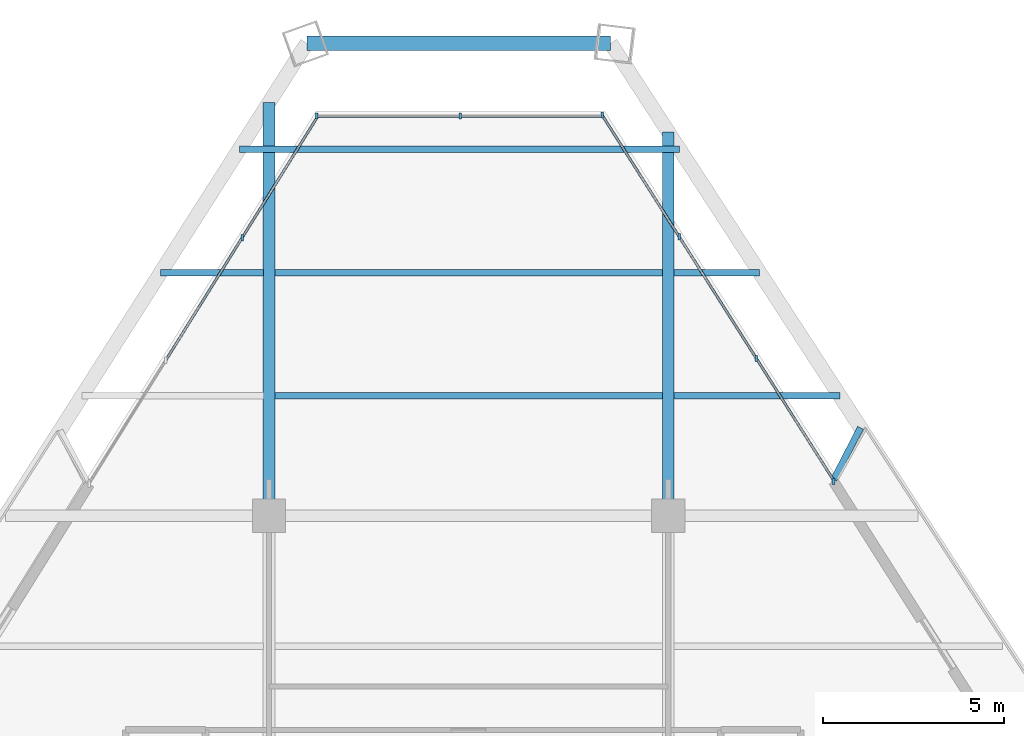
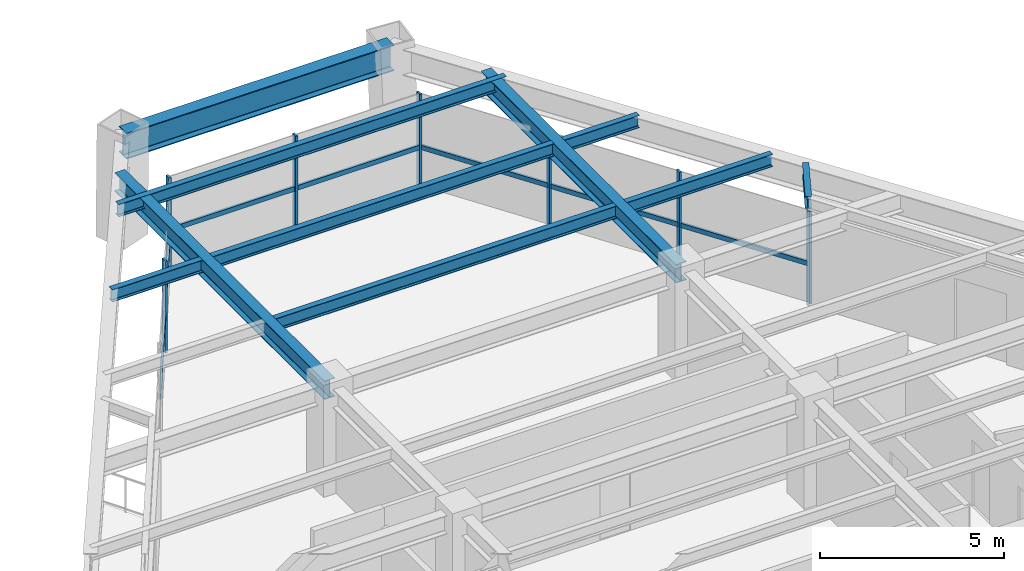
# One storey, part 9 of 15: 14 members, 10 beams, 3 elements without a shape of their own.
"""IFC4 building model written with IfcOpenShell, lengths in metres."""

from ifc_helpers import new_model, si_unit, direction, frame, origin, origin_2d, place, context, subcontext, project, spatial, rectangle, i_section, extrude, source, transform, mapped, material, material_profile, profile_set, type_object, type_shapes, element, aggregate, save


model = new_model("IFC4")

# Units and contexts
model_context = context("Model", 3, precision=1e-05, world=origin(), true_north=direction((0.0, 1.0)))
body_context = subcontext(model_context, "Body", "Model", "MODEL_VIEW")
ifc_project = project(units=[si_unit("LENGTHUNIT", "METRE"), si_unit("AREAUNIT", "SQUARE_METRE"), si_unit("VOLUMEUNIT", "CUBIC_METRE"), si_unit("PLANEANGLEUNIT", "RADIAN"), si_unit("MASSUNIT", "GRAM", prefix="KILO")], contexts=[model_context])

# Site, building, storey
site_placement = place(None, origin())
site = spatial("IfcSite", under=ifc_project, at=site_placement, CompositionType="ELEMENT")
building_placement = place(site_placement, origin())
building = spatial("IfcBuilding", under=site, at=building_placement, Name="Varnakhor Terracotta Tower", CompositionType="ELEMENT")
storey_placement = place(building_placement, frame((0.0, 0.0, 182.10009765625)))
storey = spatial("IfcBuildingStorey", under=building, at=storey_placement, Name="L46", CompositionType="ELEMENT", Elevation=182.10009765625)

# Beams
ifc_material_1 = material(Name="Steel S355", Category="steel")
ifc_material_profile_1 = material_profile(ifc_material_1, i_section(OverallWidth=0.179931640625, OverallDepth=0.4130859375, WebThickness=0.009765625, FlangeThickness=0.01611328125, FilletRadius=0.01806640625, at=origin_2d()), Name="W16X50")
ifc_profile_set_1 = profile_set([ifc_material_profile_1], Name="Steel S355")
beam_type_1 = type_object("IfcBeamType", Name="JST-W16X50", PredefinedType="JOIST", material=ifc_profile_set_1)
shared_shape_1 = source(origin(), body_context, "Body", "SweptSolid", [
    extrude(i_section(OverallWidth=0.179931640625, OverallDepth=0.4130859375, WebThickness=0.009765625, FlangeThickness=0.01611328125, FilletRadius=0.01806640625, at=origin_2d()), origin(), (0.0, 0.0, 1.0), 10.68310546875),
])
for number, where, z_axis, x_axis, name in (
    (1, (-5.341552734375, 34.800048828125, 3.263427734375), (1.0, 0.0, 0.0), (0.0, 1.0, 0.0), "L46 Composite Floor Joist 7-2"),
    (2, (-5.341552734375, 38.199951171875, 3.263427734375), (1.0, 0.0, 0.0), (0.0, 1.0, 0.0), "L46 Composite Floor Joist 8-2"),
):
    element("IfcBeam", number, at=place(storey_placement, frame(where, z_axis=z_axis, x_axis=x_axis)), inside=storey, type_object=beam_type_1, Name=name, PredefinedType="JOIST", context=body_context, shape_type="MappedRepresentation", body=[
        mapped(shared_shape_1, transform((0.0, 0.0, 0.0), scale=1.0)),
    ])
ifc_material_profile_2 = material_profile(ifc_material_1, i_section(OverallWidth=0.39990234375, OverallDepth=0.85498046875, WebThickness=0.01806640625, FlangeThickness=0.029052734375, FilletRadius=0.01806640625, at=origin_2d()), Name="W33X201")
ifc_profile_set_2 = profile_set([ifc_material_profile_2], Name="Steel S355")
beam_type_2 = type_object("IfcBeamType", Name="BM-W33X201", PredefinedType="BEAM", material=ifc_profile_set_2)
shared_shape_2 = source(origin(), body_context, "Body", "SweptSolid", [
    extrude(i_section(OverallWidth=0.39990234375, OverallDepth=0.85498046875, WebThickness=0.01806640625, FlangeThickness=0.029052734375, FilletRadius=0.01806640625, at=origin_2d()), origin(), (0.0, 0.0, 1.0), 8.371337890625),
])
beam_1_placement = place(storey_placement, frame((3.91357421875, 44.519775390625, 3.04248046875), z_axis=(-1.0, 0.0, 0.0), x_axis=(0.0, -1.0, 0.0)))
element("IfcBeam", 3, at=beam_1_placement, inside=storey, type_object=beam_type_2, Name="L46 Perimeter Spandrel 5", PredefinedType="BEAM", context=body_context, shape_type="MappedRepresentation", body=[
    mapped(shared_shape_2, transform((0.0, 0.0, 0.0), scale=1.0)),
])
ifc_material_profile_3 = material_profile(ifc_material_1, i_section(OverallWidth=0.324951171875, OverallDepth=0.615966796875, WebThickness=0.013916015625, FlangeThickness=0.02197265625, FilletRadius=0.01806640625, at=origin_2d()), Name="W24X117")
ifc_profile_set_3 = profile_set([ifc_material_profile_3], Name="Steel S355")
beam_type_3 = type_object("IfcBeamType", Name="BM-W24X117", PredefinedType="BEAM", material=ifc_profile_set_3)
shared_shape_3 = source(origin(), body_context, "Body", "SweptSolid", [
    extrude(i_section(OverallWidth=0.324951171875, OverallDepth=0.615966796875, WebThickness=0.013916015625, FlangeThickness=0.02197265625, FilletRadius=0.01806640625, at=origin_2d()), origin(), (0.0, 0.0, 1.0), 11.385498046875),
])
beam_2_placement = place(storey_placement, frame((-5.5, 31.5, 3.161865234375), z_axis=(0.0, 1.0, 0.0), x_axis=(-1.0, 0.0, 0.0)))
element("IfcBeam", 4, at=beam_2_placement, inside=storey, type_object=beam_type_3, Name="L46 Primary Girder NS3-W", PredefinedType="BEAM", context=body_context, shape_type="MappedRepresentation", body=[
    mapped(shared_shape_3, transform((0.0, 0.0, 0.0), scale=1.0)),
])
shared_shape_4 = source(origin(), body_context, "Body", "SweptSolid", [
    extrude(i_section(OverallWidth=0.324951171875, OverallDepth=0.615966796875, WebThickness=0.013916015625, FlangeThickness=0.02197265625, FilletRadius=0.01806640625, at=origin_2d()), origin(), (0.0, 0.0, 1.0), 10.578857421875),
])
beam_3_placement = place(storey_placement, frame((5.5, 31.5, 3.161865234375), z_axis=(0.0, 1.0, 0.0), x_axis=(-1.0, 0.0, 0.0)))
element("IfcBeam", 5, at=beam_3_placement, inside=storey, type_object=beam_type_3, Name="L46 Primary Girder NS3-E", PredefinedType="BEAM", context=body_context, shape_type="MappedRepresentation", body=[
    mapped(shared_shape_4, transform((0.0, 0.0, 0.0), scale=1.0)),
])
shared_shape_5 = source(origin(), body_context, "Body", "SweptSolid", [
    extrude(i_section(OverallWidth=0.179931640625, OverallDepth=0.4130859375, WebThickness=0.009765625, FlangeThickness=0.01611328125, FilletRadius=0.01806640625, at=origin_2d()), origin(), (0.0, 0.0, 1.0), 4.572021484375),
])
beam_4_placement = place(storey_placement, frame((5.658447265625, 34.800048828125, 3.263427734375), z_axis=(1.0, 0.0, 0.0), x_axis=(0.0, 1.0, 0.0)))
element("IfcBeam", 6, at=beam_4_placement, inside=storey, type_object=beam_type_1, Name="L46 Composite Floor Joist 7-3", PredefinedType="JOIST", context=body_context, shape_type="MappedRepresentation", body=[
    mapped(shared_shape_5, transform((0.0, 0.0, 0.0), scale=1.0)),
])
shared_shape_6 = source(origin(), body_context, "Body", "SweptSolid", [
    extrude(i_section(OverallWidth=0.179931640625, OverallDepth=0.4130859375, WebThickness=0.009765625, FlangeThickness=0.01611328125, FilletRadius=0.01806640625, at=origin_2d()), origin(), (0.0, 0.0, 1.0), 2.829345703125),
])
beam_5_placement = place(storey_placement, frame((-8.48779296875, 38.199951171875, 3.263427734375), z_axis=(1.0, 0.0, 0.0), x_axis=(0.0, 1.0, 0.0)))
element("IfcBeam", 7, at=beam_5_placement, inside=storey, type_object=beam_type_1, Name="L46 Composite Floor Joist 8-1", PredefinedType="JOIST", context=body_context, shape_type="MappedRepresentation", body=[
    mapped(shared_shape_6, transform((0.0, 0.0, 0.0), scale=1.0)),
])
shared_shape_7 = source(origin(), body_context, "Body", "SweptSolid", [
    extrude(i_section(OverallWidth=0.179931640625, OverallDepth=0.4130859375, WebThickness=0.009765625, FlangeThickness=0.01611328125, FilletRadius=0.01806640625, at=origin_2d()), origin(), (0.0, 0.0, 1.0), 2.3623046875),
])
beam_6_placement = place(storey_placement, frame((5.658447265625, 38.199951171875, 3.263427734375), z_axis=(1.0, 0.0, 0.0), x_axis=(0.0, 1.0, 0.0)))
element("IfcBeam", 8, at=beam_6_placement, inside=storey, type_object=beam_type_1, Name="L46 Composite Floor Joist 8-3", PredefinedType="JOIST", context=body_context, shape_type="MappedRepresentation", body=[
    mapped(shared_shape_7, transform((0.0, 0.0, 0.0), scale=1.0)),
])
shared_shape_8 = source(origin(), body_context, "Body", "SweptSolid", [
    extrude(i_section(OverallWidth=0.179931640625, OverallDepth=0.4130859375, WebThickness=0.009765625, FlangeThickness=0.01611328125, FilletRadius=0.01806640625, at=origin_2d()), origin(), (0.0, 0.0, 1.0), 12.130615234375),
])
beam_7_placement = place(storey_placement, frame((-6.319580078125, 41.60009765625, 3.263427734375), z_axis=(1.0, 0.0, 0.0), x_axis=(0.0, 1.0, 0.0)))
element("IfcBeam", 9, at=beam_7_placement, inside=storey, type_object=beam_type_1, Name="L46 Composite Floor Joist 9-1", PredefinedType="JOIST", context=body_context, shape_type="MappedRepresentation", body=[
    mapped(shared_shape_8, transform((0.0, 0.0, 0.0), scale=1.0)),
])
ifc_material_profile_4 = material_profile(ifc_material_1, i_section(OverallWidth=0.179931640625, OverallDepth=0.39990234375, WebThickness=0.008544921875, FlangeThickness=0.013427734375, FilletRadius=0.01806640625, at=origin_2d()), Name="IPE400")
ifc_profile_set_4 = profile_set([ifc_material_profile_4], Name="Steel S355")
beam_type_4 = type_object("IfcBeamType", Name="JST-IPE400", PredefinedType="JOIST", material=ifc_profile_set_4)
shared_shape_9 = source(origin(), body_context, "Body", "SweptSolid", [
    extrude(i_section(OverallWidth=0.179931640625, OverallDepth=0.39990234375, WebThickness=0.008544921875, FlangeThickness=0.013427734375, FilletRadius=0.01806640625, at=origin_2d()), origin(), (0.0, 0.0, 1.0), 1.6083984375),
])
beam_8_placement = place(storey_placement, frame((10.06103515625, 32.496826171875, 3.27001953125), z_axis=(0.458229180547, 0.888834077933, 0.0), x_axis=(-0.888834077933, 0.458229180547, 0.0)))
element("IfcBeam", 10, at=beam_8_placement, inside=storey, type_object=beam_type_4, Name="L47 E Loggia Tie Beam 1", PredefinedType="JOIST", context=body_context, shape_type="MappedRepresentation", body=[
    mapped(shared_shape_9, transform((0.0, 0.0, 0.0), scale=1.0)),
])

# Curtain wall, member
ifc_material_2 = material(Name="Anodised Aluminium Curtain Wall System", Category="aluminium")
curtain_wall_type = type_object("IfcCurtainWallType", Name="CW-SYS-MID-OFFICE", PredefinedType="NOTDEFINED", material=ifc_material_2)
curtain_wall_1_placement = place(storey_placement, origin())
curtain_wall_1 = element("IfcCurtainWall", 11, at=curtain_wall_1_placement, inside=storey, type_object=curtain_wall_type, Name="L46 W Facet Curtain Wall 2", PredefinedType="NOTDEFINED")
ifc_material_3 = material(Name="Anodised Aluminium 6063-T6", Category="aluminium")
ifc_material_profile_5 = material_profile(ifc_material_3, rectangle(XDim=0.070068359375, YDim=0.175048828125, at=origin_2d()), Name="ALU MULLION 70x175")
ifc_profile_set_5 = profile_set([ifc_material_profile_5], Name="Anodised Aluminium 6063-T6")
member_type_1 = type_object("IfcMemberType", Name="CWM-03", PredefinedType="MULLION", material=ifc_profile_set_5)
shared_shape_10 = source(origin(), body_context, "Body", "SweptSolid", [
    extrude(rectangle(XDim=0.070068359375, YDim=0.175048828125, at=origin_2d()), origin(), (0.0, 0.0, 1.0), 3.0498046875),
])
type_shapes(member_type_1, [shared_shape_10])
member_1_placement = place(storey_placement, frame((-6.2373046875, 39.164306640625, 0.0), z_axis=(0.0, 0.0, 1.0), x_axis=(1.0, 0.0, 0.0)))
member_1 = element("IfcMember", 12, at=member_1_placement, type_object=member_type_1, Name="L46 W Facet Curtain Wall 2 Mullion 3", PredefinedType="MULLION", context=body_context, shape_type="MappedRepresentation", body=[
    mapped(shared_shape_10, transform((0.0, 0.0, 0.0), scale=1.0)),
])

# Curtain wall, members
curtain_wall_2_placement = place(storey_placement, origin())
curtain_wall_2 = element("IfcCurtainWall", 13, at=curtain_wall_2_placement, inside=storey, type_object=curtain_wall_type, Name="L46 Facet Curtain Wall 2", PredefinedType="NOTDEFINED")
member_2_placement = place(storey_placement, frame((-4.187744140625, 42.51220703125, 0.0), z_axis=(0.0, 0.0, 1.0), x_axis=(1.0, 0.0, 0.0)))
member_2 = element("IfcMember", 14, at=member_2_placement, type_object=member_type_1, Name="L46 Facet Curtain Wall 2 Mullion 1", PredefinedType="MULLION", context=body_context, shape_type="MappedRepresentation", body=[
    mapped(shared_shape_10, transform((0.0, 0.0, 0.0), scale=1.0)),
])
member_3_placement = place(storey_placement, frame((-0.228271484375, 42.51220703125, 0.0), z_axis=(0.0, 0.0, 1.0), x_axis=(1.0, 0.0, 0.0)))
member_3 = element("IfcMember", 15, at=member_3_placement, type_object=member_type_1, Name="L46 Facet Curtain Wall 2 Mullion 2", PredefinedType="MULLION", context=body_context, shape_type="MappedRepresentation", body=[
    mapped(shared_shape_10, transform((0.0, 0.0, 0.0), scale=1.0)),
])

curtain_wall_3_placement = place(storey_placement, origin())
curtain_wall_3 = element("IfcCurtainWall", 16, at=curtain_wall_3_placement, inside=storey, type_object=curtain_wall_type, Name="L46 E Facet Curtain Wall 1", PredefinedType="NOTDEFINED")
member_4_placement = place(storey_placement, frame((3.67578125, 42.54248046875, 0.0), z_axis=(0.0, 0.0, 1.0), x_axis=(1.0, 0.0, 0.0)))
member_4 = element("IfcMember", 17, at=member_4_placement, type_object=member_type_1, Name="L46 E Facet Curtain Wall 1 Mullion 1", PredefinedType="MULLION", context=body_context, shape_type="MappedRepresentation", body=[
    mapped(shared_shape_10, transform((0.0, 0.0, 0.0), scale=1.0)),
])
member_5_placement = place(storey_placement, frame((5.80224609375, 39.18798828125, 0.0), z_axis=(0.0, 0.0, 1.0), x_axis=(1.0, 0.0, 0.0)))
member_5 = element("IfcMember", 18, at=member_5_placement, type_object=member_type_1, Name="L46 E Facet Curtain Wall 1 Mullion 2", PredefinedType="MULLION", context=body_context, shape_type="MappedRepresentation", body=[
    mapped(shared_shape_10, transform((0.0, 0.0, 0.0), scale=1.0)),
])
member_6_placement = place(storey_placement, frame((7.928466796875, 35.83349609375, 0.0), z_axis=(0.0, 0.0, 1.0), x_axis=(1.0, 0.0, 0.0)))
member_6 = element("IfcMember", 19, at=member_6_placement, type_object=member_type_1, Name="L46 E Facet Curtain Wall 1 Mullion 3", PredefinedType="MULLION", context=body_context, shape_type="MappedRepresentation", body=[
    mapped(shared_shape_10, transform((0.0, 0.0, 0.0), scale=1.0)),
])
member_7_placement = place(storey_placement, frame((10.053955078125, 32.44287109375, 0.0), z_axis=(0.0, 0.0, 1.0), x_axis=(1.0, 0.0, 0.0)))
member_7 = element("IfcMember", 20, at=member_7_placement, type_object=member_type_1, Name="L46 E Loggia Jamb Closure Mullion 1", PredefinedType="MULLION", context=body_context, shape_type="MappedRepresentation", body=[
    mapped(shared_shape_10, transform((0.0, 0.0, 0.0), scale=1.0)),
])

# Member
ifc_material_profile_6 = material_profile(ifc_material_3, rectangle(XDim=0.070068359375, YDim=0.155029296875, at=origin_2d()), Name="ALU TRANSOM 70x155")
ifc_profile_set_6 = profile_set([ifc_material_profile_6], Name="Anodised Aluminium 6063-T6")
member_type_2 = type_object("IfcMemberType", Name="CWT-03", PredefinedType="USERDEFINED", material=ifc_profile_set_6)
shared_shape_11 = source(origin(), body_context, "Body", "SweptSolid", [
    extrude(rectangle(XDim=0.070068359375, YDim=0.155029296875, at=origin_2d()), origin(), (0.0, 0.0, 1.0), 3.95947265625),
])
member_8_placement = place(storey_placement, frame((-4.187744140625, 42.51220703125, 1.281005859375), z_axis=(1.0, 0.0, 0.0), x_axis=(0.0, 1.0, 0.0)))
member_8 = element("IfcMember", 21, at=member_8_placement, type_object=member_type_2, Name="L46 Facet Curtain Wall 2 Transom 1", ObjectType="TRANSOM", PredefinedType="USERDEFINED", context=body_context, shape_type="MappedRepresentation", body=[
    mapped(shared_shape_11, transform((0.0, 0.0, 0.0), scale=1.0)),
])

member_9_placement = place(storey_placement, frame((-0.228271484375, 42.51220703125, 1.281005859375), z_axis=(1.0, 0.0, 0.0), x_axis=(0.0, 1.0, 0.0)))
member_9 = element("IfcMember", 22, at=member_9_placement, type_object=member_type_2, Name="L46 Facet Curtain Wall 2 Transom 2", ObjectType="TRANSOM", PredefinedType="USERDEFINED", context=body_context, shape_type="MappedRepresentation", body=[
    mapped(shared_shape_11, transform((0.0, 0.0, 0.0), scale=1.0)),
])

aggregate(curtain_wall_2, [member_2, member_8, member_3, member_9])

shared_shape_12 = source(origin(), body_context, "Body", "SweptSolid", [
    extrude(rectangle(XDim=0.070068359375, YDim=0.155029296875, at=origin_2d()), origin(), (0.0, 0.0, 1.0), 3.98095703125),
])
member_10_placement = place(storey_placement, frame((-8.3427734375, 35.78564453125, 1.281005859375), z_axis=(0.528879442794, 0.848696962991, 0.0), x_axis=(-0.848696962991, 0.528879442794, 0.0)))
member_10 = element("IfcMember", 23, at=member_10_placement, type_object=member_type_2, Name="L46 W Facet Curtain Wall 2 Transom 2", ObjectType="TRANSOM", PredefinedType="USERDEFINED", context=body_context, shape_type="MappedRepresentation", body=[
    mapped(shared_shape_12, transform((0.0, 0.0, 0.0), scale=1.0)),
])

shared_shape_13 = source(origin(), body_context, "Body", "SweptSolid", [
    extrude(rectangle(XDim=0.070068359375, YDim=0.155029296875, at=origin_2d()), origin(), (0.0, 0.0, 1.0), 3.9814453125),
])
member_11_placement = place(storey_placement, frame((-6.2373046875, 39.164306640625, 1.281005859375), z_axis=(0.528896087016, 0.848686590644, 0.0), x_axis=(-0.848686590644, 0.528896087016, 0.0)))
member_11 = element("IfcMember", 24, at=member_11_placement, type_object=member_type_2, Name="L46 W Facet Curtain Wall 2 Transom 3", ObjectType="TRANSOM", PredefinedType="USERDEFINED", context=body_context, shape_type="MappedRepresentation", body=[
    mapped(shared_shape_13, transform((0.0, 0.0, 0.0), scale=1.0)),
])

aggregate(curtain_wall_1, [member_10, member_1, member_11])

shared_shape_14 = source(origin(), body_context, "Body", "SweptSolid", [
    extrude(rectangle(XDim=0.070068359375, YDim=0.155029296875, at=origin_2d()), origin(), (0.0, 0.0, 1.0), 3.9716796875),
])
member_12_placement = place(storey_placement, frame((3.67578125, 42.54248046875, 1.281005859375), z_axis=(0.535403013148, -0.844596716494, 0.0), x_axis=(0.844596716494, 0.535403013148, 0.0)))
member_12 = element("IfcMember", 25, at=member_12_placement, type_object=member_type_2, Name="L46 E Facet Curtain Wall 1 Transom 1", ObjectType="TRANSOM", PredefinedType="USERDEFINED", context=body_context, shape_type="MappedRepresentation", body=[
    mapped(shared_shape_14, transform((0.0, 0.0, 0.0), scale=1.0)),
])

member_13_placement = place(storey_placement, frame((5.80224609375, 39.18798828125, 1.281005859375), z_axis=(0.535359161808, -0.844624512945, 0.0), x_axis=(0.844624512945, 0.535359161808, 0.0)))
member_13 = element("IfcMember", 26, at=member_13_placement, type_object=member_type_2, Name="L46 E Facet Curtain Wall 1 Transom 2", ObjectType="TRANSOM", PredefinedType="USERDEFINED", context=body_context, shape_type="MappedRepresentation", body=[
    mapped(shared_shape_14, transform((0.0, 0.0, 0.0), scale=1.0)),
])

member_14_placement = place(storey_placement, frame((7.928466796875, 35.83349609375, 1.281005859375), z_axis=(0.535331366733, -0.844642130012, 0.0), x_axis=(0.844642130012, 0.535331366733, 0.0)))
member_14 = element("IfcMember", 27, at=member_14_placement, type_object=member_type_2, Name="L46 E Facet Curtain Wall 1 Transom 3", ObjectType="TRANSOM", PredefinedType="USERDEFINED", context=body_context, shape_type="MappedRepresentation", body=[
    mapped(shared_shape_14, transform((0.0, 0.0, 0.0), scale=1.0)),
])

aggregate(curtain_wall_3, [member_4, member_12, member_5, member_13, member_6, member_14, member_7])

save(model, "model.ifc")
